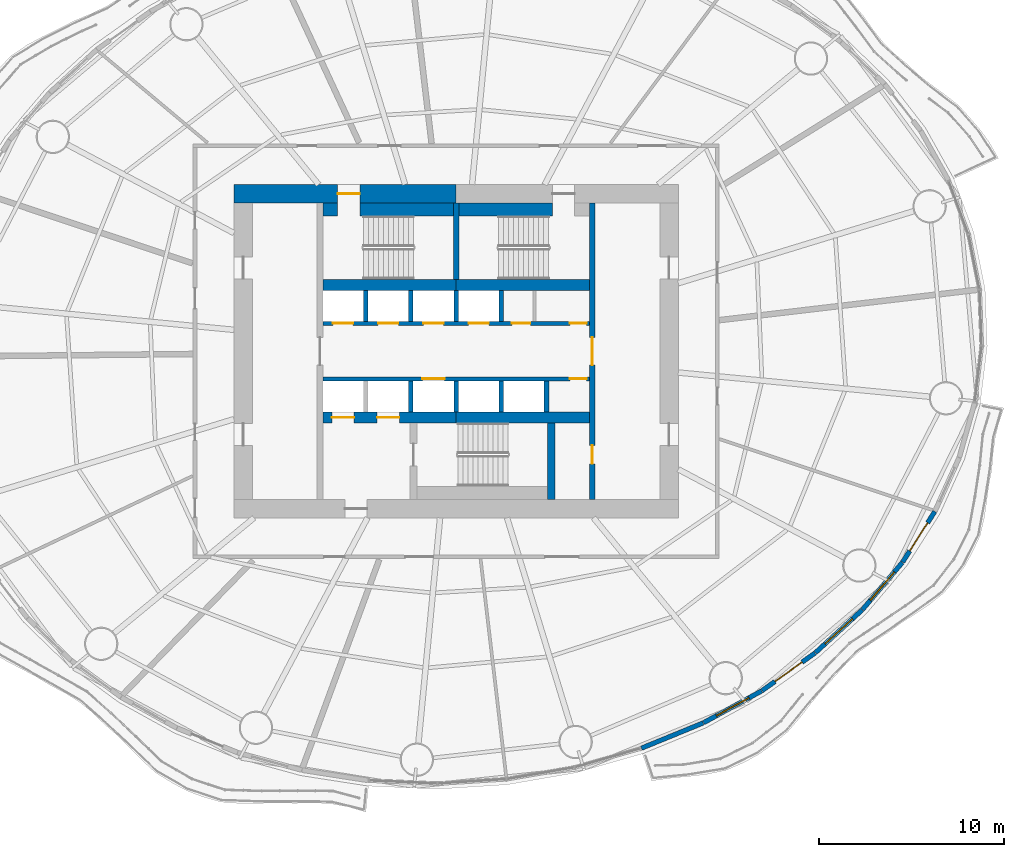
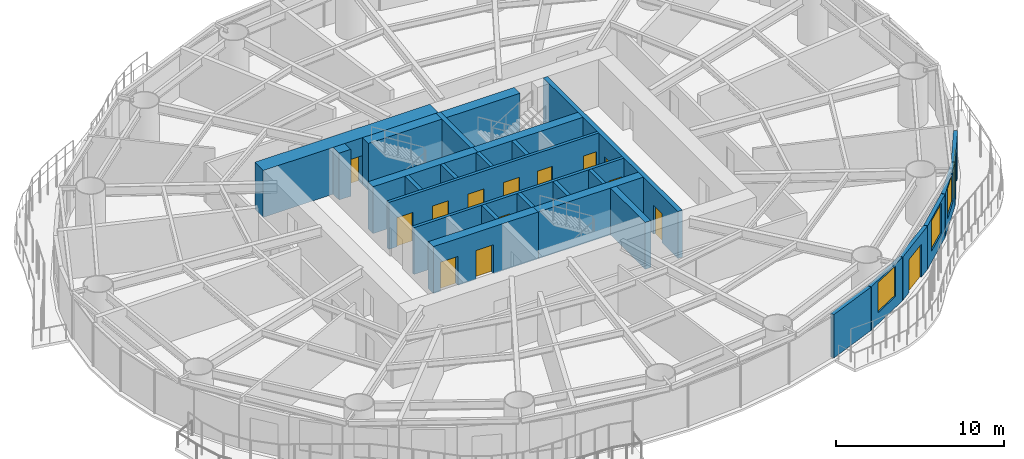
# One storey, part 9 of 16: 27 walls, 15 doors, 3 windows, 18 openings.
"""IFC4 building model written with IfcOpenShell, lengths in metres."""

from ifc_helpers import new_model, si_unit, direction, frame, frame_2d, origin, place, context, subcontext, project, spatial, rectangle, extrude, material, layer, layer_set, type_object, element, fill, save


model = new_model("IFC4")

# Units and contexts
model_context = context("Model", 3, precision=1e-05, world=origin(), true_north=direction((0.0, 1.0)))
body_context = subcontext(model_context, "Body", "Model", "MODEL_VIEW")
ifc_project = project(units=[si_unit("LENGTHUNIT", "METRE"), si_unit("AREAUNIT", "SQUARE_METRE"), si_unit("VOLUMEUNIT", "CUBIC_METRE"), si_unit("PLANEANGLEUNIT", "RADIAN"), si_unit("MASSUNIT", "GRAM", prefix="KILO")], contexts=[model_context])

# Site, building, storey
site_placement = place(None, origin())
site = spatial("IfcSite", under=ifc_project, at=site_placement, CompositionType="ELEMENT")
building_placement = place(site_placement, origin())
building = spatial("IfcBuilding", under=site, at=building_placement, Name="Vermilion Reach Broadcast Tower", CompositionType="ELEMENT")
storey_placement = place(building_placement, frame((0.0, 0.0, 61.89990234375)))
storey = spatial("IfcBuildingStorey", under=building, at=storey_placement, Name="L12", CompositionType="ELEMENT", Elevation=61.89990234375)

# Wall, openings, doors
ifc_material_1 = material(Name="Concrete C70", Category="concrete")
ifc_layer_1 = layer(ifc_material_1, 0.300048828125)
ifc_layer_set_1 = layer_set([ifc_layer_1], Name="Core inner wall 300 mm Concrete C70")
wall_type_1 = type_object("IfcWallType", Name="Core inner wall 300 mm Concrete C70", PredefinedType="SHEAR", material=ifc_layer_set_1)
wall_1_placement = place(storey_placement, frame((1.35009765625, -8.0, 0.0), z_axis=(0.0, 0.0, 1.0), x_axis=(0.0, 1.0, 0.0)))
wall_1 = element("IfcWall", 1, at=wall_1_placement, inside=storey, type_object=wall_type_1, Name="L12 core wall ewE", PredefinedType="SHEAR", context=body_context, shape_type="SweptSolid", body=[
    extrude(rectangle(XDim=16.0, YDim=0.300048828125, at=frame_2d((8.0, 0.0))), origin(), (0.0, 0.0, 1.0), 3.400146484375),
])
opening_1_placement = place(wall_1_placement, frame((1.909912109375, 0.0, 0.0)))
opening_1 = element("IfcOpeningElement", 2, at=opening_1_placement, cuts=wall_1, Name="Opening D05", PredefinedType="OPENING", context=body_context, shape_type="SweptSolid", body=[
    extrude(rectangle(XDim=1.0, YDim=2.10009765625, at=frame_2d((0.5, 1.050048828125))), frame((0.0, 0.159912109375, 0.0), z_axis=(0.0, -1.0, 0.0), x_axis=(1.0, 0.0, 0.0)), (0.0, 0.0, 1.0), 0.320068359375),
])
opening_2_placement = place(wall_1_placement, frame((7.25, 0.0, 0.0)))
opening_2 = element("IfcOpeningElement", 3, at=opening_2_placement, cuts=wall_1, Name="Opening D04", PredefinedType="OPENING", context=body_context, shape_type="SweptSolid", body=[
    extrude(rectangle(XDim=1.5, YDim=2.10009765625, at=frame_2d((0.75, 1.050048828125))), frame((0.0, 0.159912109375, 0.0), z_axis=(0.0, -1.0, 0.0), x_axis=(1.0, 0.0, 0.0)), (0.0, 0.0, 1.0), 0.320068359375),
])
ifc_material_2 = material(Name="Painted steel fire door", Category="steel")
door_type_1 = type_object("IfcDoorType", Name="Lift lobby door 1500 x 2100", OperationType="DOUBLE_DOOR_SINGLE_SWING", PredefinedType="NOTDEFINED", material=ifc_material_2)
door_1_placement = place(opening_2_placement, origin())
door_1 = element("IfcDoor", 4, at=door_1_placement, inside=storey, type_object=door_type_1, Name="L12 band door BE", OperationType="DOUBLE_DOOR_SINGLE_SWING", OverallHeight=2.10009765625, OverallWidth=1.5, PredefinedType="NOTDEFINED", context=body_context, shape_type="SweptSolid", body=[
    extrude(rectangle(XDim=1.5, YDim=2.10009765625, at=frame_2d((0.75, 1.050048828125))), frame((0.0, 0.02490234375, 0.0), z_axis=(0.0, -1.0, 0.0), x_axis=(1.0, 0.0, 0.0)), (0.0, 0.0, 1.0), 0.050048828125),
])
fill(opening_2, door_1)
ifc_material_3 = material(Name="Timber door", Category="wood")
door_type_2 = type_object("IfcDoorType", Name="Room door 1000 x 2100", OperationType="NOTDEFINED", PredefinedType="NOTDEFINED", material=ifc_material_3)
door_2_placement = place(opening_1_placement, origin())
door_2 = element("IfcDoor", 5, at=door_2_placement, inside=storey, type_object=door_type_2, Name="L12 door SER", OperationType="SINGLE_SWING_LEFT", OverallHeight=2.10009765625, OverallWidth=1.0, PredefinedType="NOTDEFINED", context=body_context, shape_type="SweptSolid", body=[
    extrude(rectangle(XDim=1.0, YDim=2.10009765625, at=frame_2d((0.5, 1.050048828125))), frame((0.0, 0.02490234375, 0.0), z_axis=(0.0, -1.0, 0.0), x_axis=(1.0, 0.0, 0.0)), (0.0, 0.0, 1.0), 0.050048828125),
])
fill(opening_1, door_2)

# Walls
wall_2_placement = place(storey_placement, frame((-6.0, 3.8798828125, 0.0), z_axis=(0.0, 0.0, 1.0), x_axis=(0.0, 1.0, 0.0)))
element("IfcWall", 6, at=wall_2_placement, inside=storey, type_object=wall_type_1, Name="L12 core wall wc", PredefinedType="SHEAR", context=body_context, shape_type="SweptSolid", body=[
    extrude(rectangle(XDim=4.1201171875, YDim=0.300048828125, at=frame_2d((2.06005859375, 0.0))), origin(), (0.0, 0.0, 1.0), 3.400146484375),
])
ifc_material_4 = material(Name="Concrete C70", Category="concrete")
ifc_layer_2 = layer(ifc_material_4, 0.39990234375)
ifc_layer_set_2 = layer_set([ifc_layer_2], Name="Core inner wall 400 mm Concrete C70")
wall_type_2 = type_object("IfcWallType", Name="Core inner wall 400 mm Concrete C70", PredefinedType="SHEAR", material=ifc_layer_set_2)
wall_3_placement = place(storey_placement, frame((-0.85009765625, -3.8798828125, 0.0), z_axis=(0.0, 0.0, 1.0), x_axis=(0.0, -1.0, 0.0)))
element("IfcWall", 7, at=wall_3_placement, inside=storey, type_object=wall_type_2, Name="L12 core wall wb", PredefinedType="SHEAR", context=body_context, shape_type="SweptSolid", body=[
    extrude(rectangle(XDim=4.1201171875, YDim=0.39990234375, at=frame_2d((2.06005859375, 0.0))), origin(), (0.0, 0.0, 1.0), 3.400146484375),
])
ifc_material_5 = material(Name="Concrete C70", Category="concrete")
ifc_layer_3 = layer(ifc_material_5, 0.60009765625)
ifc_layer_set_3 = layer_set([ifc_layer_3], Name="Core inner wall 600 mm Concrete C70")
wall_type_3 = type_object("IfcWallType", Name="Core inner wall 600 mm Concrete C70", PredefinedType="SHEAR", material=ifc_layer_set_3)
for number, where, z_axis, x_axis, name in (
    (8, (-13.199951171875, 3.580078125, 0.0), (0.0, 0.0, 1.0), (1.0, 0.0, 0.0), "L12 core wall winW"),
    (9, (-6.0, 3.580078125, 0.0), (0.0, 0.0, 1.0), (1.0, 0.0, 0.0), "L12 core wall winE"),
):
    element("IfcWall", number, at=place(storey_placement, frame(where, z_axis=z_axis, x_axis=x_axis)), inside=storey, type_object=wall_type_3, Name=name, PredefinedType="SHEAR", context=body_context, shape_type="SweptSolid", body=[
        extrude(rectangle(XDim=7.199951171875, YDim=0.60009765625, at=frame_2d((3.60009765625, 0.0))), origin(), (0.0, 0.0, 1.0), 3.400146484375),
    ])

# Wall, openings, doors
wall_4_placement = place(storey_placement, frame((-13.199951171875, -3.580078125, 0.0), z_axis=(0.0, 0.0, 1.0), x_axis=(1.0, 0.0, 0.0)))
wall_4 = element("IfcWall", 10, at=wall_4_placement, inside=storey, type_object=wall_type_3, Name="L12 core wall wisW", PredefinedType="SHEAR", context=body_context, shape_type="SweptSolid", body=[
    extrude(rectangle(XDim=7.199951171875, YDim=0.60009765625, at=frame_2d((3.60009765625, 0.0))), origin(), (0.0, 0.0, 1.0), 3.400146484375),
])
opening_3_placement = place(wall_4_placement, frame((0.495849609375, 0.0, 0.0)))
opening_3 = element("IfcOpeningElement", 11, at=opening_3_placement, cuts=wall_4, Name="Opening LD1", PredefinedType="OPENING", context=body_context, shape_type="SweptSolid", body=[
    extrude(rectangle(XDim=1.199951171875, YDim=2.10009765625, at=frame_2d((0.60009765625, 1.050048828125))), frame((0.0, 0.31005859375, 0.0), z_axis=(0.0, -1.0, 0.0), x_axis=(1.0, 0.0, 0.0)), (0.0, 0.0, 1.0), 0.6201171875),
])
opening_4_placement = place(wall_4_placement, frame((2.9375, 0.0, 0.0)))
opening_4 = element("IfcOpeningElement", 12, at=opening_4_placement, cuts=wall_4, Name="Opening LD1", PredefinedType="OPENING", context=body_context, shape_type="SweptSolid", body=[
    extrude(rectangle(XDim=1.199951171875, YDim=2.10009765625, at=frame_2d((0.60009765625, 1.050048828125))), frame((0.0, 0.31005859375, 0.0), z_axis=(0.0, -1.0, 0.0), x_axis=(1.0, 0.0, 0.0)), (0.0, 0.0, 1.0), 0.6201171875),
])
ifc_material_6 = material(Name="Stainless steel", Category="steel")
door_type_3 = type_object("IfcDoorType", Name="Landing door 1200 x 2100", OperationType="DOUBLE_DOOR_SLIDING", PredefinedType="NOTDEFINED", material=ifc_material_6)
door_3_placement = place(opening_3_placement, origin())
door_3 = element("IfcDoor", 13, at=door_3_placement, inside=storey, type_object=door_type_3, Name="L12 landing door FF1", OperationType="DOUBLE_DOOR_SLIDING", OverallHeight=2.10009765625, OverallWidth=1.199951171875, PredefinedType="NOTDEFINED", context=body_context, shape_type="SweptSolid", body=[
    extrude(rectangle(XDim=1.199951171875, YDim=2.10009765625, at=frame_2d((0.60009765625, 1.050048828125))), frame((0.0, 0.02490234375, 0.0), z_axis=(0.0, -1.0, 0.0), x_axis=(1.0, 0.0, 0.0)), (0.0, 0.0, 1.0), 0.050048828125),
])
fill(opening_3, door_3)
door_4_placement = place(opening_4_placement, origin())
door_4 = element("IfcDoor", 14, at=door_4_placement, inside=storey, type_object=door_type_3, Name="L12 landing door FF2", OperationType="DOUBLE_DOOR_SLIDING", OverallHeight=2.10009765625, OverallWidth=1.199951171875, PredefinedType="NOTDEFINED", context=body_context, shape_type="SweptSolid", body=[
    extrude(rectangle(XDim=1.199951171875, YDim=2.10009765625, at=frame_2d((0.60009765625, 1.050048828125))), frame((0.0, 0.02490234375, 0.0), z_axis=(0.0, -1.0, 0.0), x_axis=(1.0, 0.0, 0.0)), (0.0, 0.0, 1.0), 0.050048828125),
])
fill(opening_4, door_4)

# Wall
wall_5_placement = place(storey_placement, frame((-6.0, -3.580078125, 0.0), z_axis=(0.0, 0.0, 1.0), x_axis=(1.0, 0.0, 0.0)))
element("IfcWall", 15, at=wall_5_placement, inside=storey, type_object=wall_type_3, Name="L12 core wall wisE", PredefinedType="SHEAR", context=body_context, shape_type="SweptSolid", body=[
    extrude(rectangle(XDim=7.199951171875, YDim=0.60009765625, at=frame_2d((3.60009765625, 0.0))), origin(), (0.0, 0.0, 1.0), 3.400146484375),
])

# Wall, opening, door
ifc_material_7 = material(Name="Concrete C70", Category="concrete")
ifc_layer_4 = layer(ifc_material_7, 1.0)
ifc_layer_set_4 = layer_set([ifc_layer_4], Name="Core outer wall 1000 mm Concrete C70")
wall_type_4 = type_object("IfcWallType", Name="Core outer wall 1000 mm Concrete C70", PredefinedType="SHEAR", material=ifc_layer_set_4)
wall_6_placement = place(storey_placement, frame((-6.0, 8.5, 0.0), z_axis=(0.0, 0.0, 1.0), x_axis=(-1.0, 0.0, 0.0)))
wall_6 = element("IfcWall", 16, at=wall_6_placement, inside=storey, type_object=wall_type_4, Name="L12 core wall onW", PredefinedType="SHEAR", context=body_context, shape_type="SweptSolid", body=[
    extrude(rectangle(XDim=12.0, YDim=1.0, at=frame_2d((6.0, 0.0))), origin(), (0.0, 0.0, 1.0), 3.400146484375),
])
opening_5_placement = place(wall_6_placement, frame((5.199951171875, 0.0, 0.0)))
opening_5 = element("IfcOpeningElement", 17, at=opening_5_placement, cuts=wall_6, Name="Opening D01", PredefinedType="OPENING", context=body_context, shape_type="SweptSolid", body=[
    extrude(rectangle(XDim=1.199951171875, YDim=2.10009765625, at=frame_2d((0.60009765625, 1.050048828125))), frame((0.0, 0.510009765625, 0.0), z_axis=(0.0, -1.0, 0.0), x_axis=(1.0, 0.0, 0.0)), (0.0, 0.0, 1.0), 1.02001953125),
])
ifc_material_8 = material(Name="Painted steel fire door", Category="steel")
door_type_4 = type_object("IfcDoorType", Name="Stair door 1200 x 2100", OperationType="DOUBLE_DOOR_SINGLE_SWING", PredefinedType="NOTDEFINED", material=ifc_material_8)
door_5_placement = place(opening_5_placement, origin())
door_5 = element("IfcDoor", 18, at=door_5_placement, inside=storey, type_object=door_type_4, Name="L12 stair door ST1", OperationType="DOUBLE_DOOR_SINGLE_SWING", OverallHeight=2.10009765625, OverallWidth=1.199951171875, PredefinedType="NOTDEFINED", context=body_context, shape_type="SweptSolid", body=[
    extrude(rectangle(XDim=1.199951171875, YDim=2.10009765625, at=frame_2d((0.60009765625, 1.050048828125))), frame((0.0, 0.02490234375, 0.0), z_axis=(0.0, -1.0, 0.0), x_axis=(1.0, 0.0, 0.0)), (0.0, 0.0, 1.0), 0.050048828125),
])
fill(opening_5, door_5)

# Wall, openings, doors
ifc_material_9 = material(Name="Concrete C50", Category="concrete")
ifc_layer_5 = layer(ifc_material_9, 0.199951171875)
ifc_layer_set_5 = layer_set([ifc_layer_5], Name="Core shaft wall 200 mm Concrete C50")
wall_type_5 = type_object("IfcWallType", Name="Core shaft wall 200 mm Concrete C50", PredefinedType="SHEAR", material=ifc_layer_set_5)
wall_7_placement = place(storey_placement, frame((-13.199951171875, 1.5, 0.0), z_axis=(0.0, 0.0, 1.0), x_axis=(1.0, 0.0, 0.0)))
wall_7 = element("IfcWall", 19, at=wall_7_placement, inside=storey, type_object=wall_type_5, Name="L12 core wall fn", PredefinedType="SHEAR", context=body_context, shape_type="SweptSolid", body=[
    extrude(rectangle(XDim=14.39990234375, YDim=0.199951171875, at=frame_2d((7.199951171875, 0.0))), origin(), (0.0, 0.0, 1.0), 3.400146484375),
])
opening_6_placement = place(wall_7_placement, frame((0.5458984375, 0.0, 0.0)))
opening_6 = element("IfcOpeningElement", 20, at=opening_6_placement, cuts=wall_7, Name="Opening LD2", PredefinedType="OPENING", context=body_context, shape_type="SweptSolid", body=[
    extrude(rectangle(XDim=1.10009765625, YDim=2.10009765625, at=frame_2d((0.550048828125, 1.050048828125))), frame((0.0, 0.10986328125, 0.0), z_axis=(0.0, -1.0, 0.0), x_axis=(1.0, 0.0, 0.0)), (0.0, 0.0, 1.0), 0.219970703125),
])
opening_7_placement = place(wall_7_placement, frame((2.987548828125, 0.0, 0.0)))
opening_7 = element("IfcOpeningElement", 21, at=opening_7_placement, cuts=wall_7, Name="Opening LD2", PredefinedType="OPENING", context=body_context, shape_type="SweptSolid", body=[
    extrude(rectangle(XDim=1.10009765625, YDim=2.10009765625, at=frame_2d((0.550048828125, 1.050048828125))), frame((0.0, 0.10986328125, 0.0), z_axis=(0.0, -1.0, 0.0), x_axis=(1.0, 0.0, 0.0)), (0.0, 0.0, 1.0), 0.219970703125),
])
opening_8_placement = place(wall_7_placement, frame((5.42919921875, 0.0, 0.0)))
opening_8 = element("IfcOpeningElement", 22, at=opening_8_placement, cuts=wall_7, Name="Opening LD2", PredefinedType="OPENING", context=body_context, shape_type="SweptSolid", body=[
    extrude(rectangle(XDim=1.10009765625, YDim=2.10009765625, at=frame_2d((0.550048828125, 1.050048828125))), frame((0.0, 0.10986328125, 0.0), z_axis=(0.0, -1.0, 0.0), x_axis=(1.0, 0.0, 0.0)), (0.0, 0.0, 1.0), 0.219970703125),
])
opening_9_placement = place(wall_7_placement, frame((7.870849609375, 0.0, 0.0)))
opening_9 = element("IfcOpeningElement", 23, at=opening_9_placement, cuts=wall_7, Name="Opening LD2", PredefinedType="OPENING", context=body_context, shape_type="SweptSolid", body=[
    extrude(rectangle(XDim=1.10009765625, YDim=2.10009765625, at=frame_2d((0.550048828125, 1.050048828125))), frame((0.0, 0.10986328125, 0.0), z_axis=(0.0, -1.0, 0.0), x_axis=(1.0, 0.0, 0.0)), (0.0, 0.0, 1.0), 0.219970703125),
])
opening_10_placement = place(wall_7_placement, frame((10.209716796875, 0.0, 0.0)))
opening_10 = element("IfcOpeningElement", 24, at=opening_10_placement, cuts=wall_7, Name="Opening D07", PredefinedType="OPENING", context=body_context, shape_type="SweptSolid", body=[
    extrude(rectangle(XDim=1.0, YDim=2.10009765625, at=frame_2d((0.5, 1.050048828125))), frame((0.0, 0.10986328125, 0.0), z_axis=(0.0, -1.0, 0.0), x_axis=(1.0, 0.0, 0.0)), (0.0, 0.0, 1.0), 0.219970703125),
])
opening_11_placement = place(wall_7_placement, frame((13.35009765625, 0.0, 0.0)))
opening_11 = element("IfcOpeningElement", 25, at=opening_11_placement, cuts=wall_7, Name="Opening D06", PredefinedType="OPENING", context=body_context, shape_type="SweptSolid", body=[
    extrude(rectangle(XDim=0.89990234375, YDim=2.10009765625, at=frame_2d((0.449951171875, 1.050048828125))), frame((0.0, 0.10986328125, 0.0), z_axis=(0.0, -1.0, 0.0), x_axis=(1.0, 0.0, 0.0)), (0.0, 0.0, 1.0), 0.219970703125),
])
ifc_material_10 = material(Name="Timber door", Category="wood")
door_type_5 = type_object("IfcDoorType", Name="Accessible WC door 1000 x 2100", OperationType="NOTDEFINED", PredefinedType="NOTDEFINED", material=ifc_material_10)
door_6_placement = place(opening_10_placement, origin())
door_6 = element("IfcDoor", 26, at=door_6_placement, inside=storey, type_object=door_type_5, Name="L12 door Accessible WC", OperationType="SINGLE_SWING_RIGHT", OverallHeight=2.10009765625, OverallWidth=1.0, PredefinedType="NOTDEFINED", context=body_context, shape_type="SweptSolid", body=[
    extrude(rectangle(XDim=1.0, YDim=2.10009765625, at=frame_2d((0.5, 1.050048828125))), frame((0.0, 0.02490234375, 0.0), z_axis=(0.0, -1.0, 0.0), x_axis=(1.0, 0.0, 0.0)), (0.0, 0.0, 1.0), 0.050048828125),
])
fill(opening_10, door_6)
ifc_material_11 = material(Name="Stainless steel", Category="steel")
door_type_6 = type_object("IfcDoorType", Name="Landing door 1100 x 2100", OperationType="DOUBLE_DOOR_SLIDING", PredefinedType="NOTDEFINED", material=ifc_material_11)
door_7_placement = place(opening_6_placement, origin())
door_7 = element("IfcDoor", 27, at=door_7_placement, inside=storey, type_object=door_type_6, Name="L12 landing door LR1", OperationType="DOUBLE_DOOR_SLIDING", OverallHeight=2.10009765625, OverallWidth=1.10009765625, PredefinedType="NOTDEFINED", context=body_context, shape_type="SweptSolid", body=[
    extrude(rectangle(XDim=1.10009765625, YDim=2.10009765625, at=frame_2d((0.550048828125, 1.050048828125))), frame((0.0, 0.02490234375, 0.0), z_axis=(0.0, -1.0, 0.0), x_axis=(1.0, 0.0, 0.0)), (0.0, 0.0, 1.0), 0.050048828125),
])
fill(opening_6, door_7)
door_8_placement = place(opening_7_placement, origin())
door_8 = element("IfcDoor", 28, at=door_8_placement, inside=storey, type_object=door_type_6, Name="L12 landing door LR2", OperationType="DOUBLE_DOOR_SLIDING", OverallHeight=2.10009765625, OverallWidth=1.10009765625, PredefinedType="NOTDEFINED", context=body_context, shape_type="SweptSolid", body=[
    extrude(rectangle(XDim=1.10009765625, YDim=2.10009765625, at=frame_2d((0.550048828125, 1.050048828125))), frame((0.0, 0.02490234375, 0.0), z_axis=(0.0, -1.0, 0.0), x_axis=(1.0, 0.0, 0.0)), (0.0, 0.0, 1.0), 0.050048828125),
])
fill(opening_7, door_8)
door_9_placement = place(opening_8_placement, origin())
door_9 = element("IfcDoor", 29, at=door_9_placement, inside=storey, type_object=door_type_6, Name="L12 landing door LR3", OperationType="DOUBLE_DOOR_SLIDING", OverallHeight=2.10009765625, OverallWidth=1.10009765625, PredefinedType="NOTDEFINED", context=body_context, shape_type="SweptSolid", body=[
    extrude(rectangle(XDim=1.10009765625, YDim=2.10009765625, at=frame_2d((0.550048828125, 1.050048828125))), frame((0.0, 0.02490234375, 0.0), z_axis=(0.0, -1.0, 0.0), x_axis=(1.0, 0.0, 0.0)), (0.0, 0.0, 1.0), 0.050048828125),
])
fill(opening_8, door_9)
door_10_placement = place(opening_9_placement, origin())
door_10 = element("IfcDoor", 30, at=door_10_placement, inside=storey, type_object=door_type_6, Name="L12 landing door LR4", OperationType="DOUBLE_DOOR_SLIDING", OverallHeight=2.10009765625, OverallWidth=1.10009765625, PredefinedType="NOTDEFINED", context=body_context, shape_type="SweptSolid", body=[
    extrude(rectangle(XDim=1.10009765625, YDim=2.10009765625, at=frame_2d((0.550048828125, 1.050048828125))), frame((0.0, 0.02490234375, 0.0), z_axis=(0.0, -1.0, 0.0), x_axis=(1.0, 0.0, 0.0)), (0.0, 0.0, 1.0), 0.050048828125),
])
fill(opening_9, door_10)
ifc_material_12 = material(Name="Timber door", Category="wood")
door_type_7 = type_object("IfcDoorType", Name="WC door 900 x 2100", OperationType="NOTDEFINED", PredefinedType="NOTDEFINED", material=ifc_material_12)
door_11_placement = place(opening_11_placement, origin())
door_11 = element("IfcDoor", 31, at=door_11_placement, inside=storey, type_object=door_type_7, Name="L12 door Female WC", OperationType="SINGLE_SWING_RIGHT", OverallHeight=2.10009765625, OverallWidth=0.89990234375, PredefinedType="NOTDEFINED", context=body_context, shape_type="SweptSolid", body=[
    extrude(rectangle(XDim=0.89990234375, YDim=2.10009765625, at=frame_2d((0.449951171875, 1.050048828125))), frame((0.0, 0.02490234375, 0.0), z_axis=(0.0, -1.0, 0.0), x_axis=(1.0, 0.0, 0.0)), (0.0, 0.0, 1.0), 0.050048828125),
])
fill(opening_11, door_11)

wall_8_placement = place(storey_placement, frame((1.199951171875, -1.5, 0.0), z_axis=(0.0, 0.0, 1.0), x_axis=(-1.0, 0.0, 0.0)))
wall_8 = element("IfcWall", 32, at=wall_8_placement, inside=storey, type_object=wall_type_5, Name="L12 core wall fs", PredefinedType="SHEAR", context=body_context, shape_type="SweptSolid", body=[
    extrude(rectangle(XDim=14.39990234375, YDim=0.199951171875, at=frame_2d((7.199951171875, 0.0))), origin(), (0.0, 0.0, 1.0), 3.400146484375),
])
opening_12_placement = place(wall_8_placement, frame((7.82080078125, 0.0, 0.0)))
opening_12 = element("IfcOpeningElement", 33, at=opening_12_placement, cuts=wall_8, Name="Opening LD1", PredefinedType="OPENING", context=body_context, shape_type="SweptSolid", body=[
    extrude(rectangle(XDim=1.199951171875, YDim=2.10009765625, at=frame_2d((0.60009765625, 1.050048828125))), frame((0.0, 0.10986328125, 0.0), z_axis=(0.0, -1.0, 0.0), x_axis=(1.0, 0.0, 0.0)), (0.0, 0.0, 1.0), 0.219970703125),
])
opening_13_placement = place(wall_8_placement, frame((0.14990234375, 0.0, 0.0)))
opening_13 = element("IfcOpeningElement", 34, at=opening_13_placement, cuts=wall_8, Name="Opening D06", PredefinedType="OPENING", context=body_context, shape_type="SweptSolid", body=[
    extrude(rectangle(XDim=0.89990234375, YDim=2.10009765625, at=frame_2d((0.449951171875, 1.050048828125))), frame((0.0, 0.10986328125, 0.0), z_axis=(0.0, -1.0, 0.0), x_axis=(1.0, 0.0, 0.0)), (0.0, 0.0, 1.0), 0.219970703125),
])
door_12_placement = place(opening_12_placement, origin())
door_12 = element("IfcDoor", 35, at=door_12_placement, inside=storey, type_object=door_type_3, Name="L12 landing door SV1", OperationType="DOUBLE_DOOR_SLIDING", OverallHeight=2.10009765625, OverallWidth=1.199951171875, PredefinedType="NOTDEFINED", context=body_context, shape_type="SweptSolid", body=[
    extrude(rectangle(XDim=1.199951171875, YDim=2.10009765625, at=frame_2d((0.60009765625, 1.050048828125))), frame((0.0, 0.02490234375, 0.0), z_axis=(0.0, -1.0, 0.0), x_axis=(1.0, 0.0, 0.0)), (0.0, 0.0, 1.0), 0.050048828125),
])
fill(opening_12, door_12)
door_13_placement = place(opening_13_placement, origin())
door_13 = element("IfcDoor", 36, at=door_13_placement, inside=storey, type_object=door_type_7, Name="L12 door Male WC", OperationType="SINGLE_SWING_LEFT", OverallHeight=2.10009765625, OverallWidth=0.89990234375, PredefinedType="NOTDEFINED", context=body_context, shape_type="SweptSolid", body=[
    extrude(rectangle(XDim=0.89990234375, YDim=2.10009765625, at=frame_2d((0.449951171875, 1.050048828125))), frame((0.0, 0.02490234375, 0.0), z_axis=(0.0, -1.0, 0.0), x_axis=(1.0, 0.0, 0.0)), (0.0, 0.0, 1.0), 0.050048828125),
])
fill(opening_13, door_13)

# Walls
ifc_material_13 = material(Name="Concrete C50", Category="concrete")
ifc_layer_6 = layer(ifc_material_13, 0.25)
ifc_layer_set_6 = layer_set([ifc_layer_6], Name="Core shaft wall 250 mm Concrete C50")
wall_type_6 = type_object("IfcWallType", Name="Core shaft wall 250 mm Concrete C50", PredefinedType="SHEAR", material=ifc_layer_set_6)
for number, where, z_axis, x_axis, name in (
    (37, (-10.88330078125, 1.60009765625, 0.0), (0.0, 0.0, 1.0), (0.0, 1.0, 0.0), "L12 core wall psN0"),
    (38, (-8.441650390625, 1.60009765625, 0.0), (0.0, 0.0, 1.0), (0.0, 1.0, 0.0), "L12 core wall psN1"),
    (39, (-6.0, 1.60009765625, 0.0), (0.0, 0.0, 1.0), (0.0, 1.0, 0.0), "L12 core wall psN2"),
    (40, (-3.558349609375, 1.60009765625, 0.0), (0.0, 0.0, 1.0), (0.0, 1.0, 0.0), "L12 core wall psN3"),
    (41, (-8.441650390625, -1.60009765625, 0.0), (0.0, 0.0, 1.0), (0.0, -1.0, 0.0), "L12 core wall psS1"),
    (42, (-6.0, -1.60009765625, 0.0), (0.0, 0.0, 1.0), (0.0, -1.0, 0.0), "L12 core wall psS2"),
    (43, (-3.558349609375, -1.60009765625, 0.0), (0.0, 0.0, 1.0), (0.0, -1.0, 0.0), "L12 core wall psS3"),
    (44, (-1.11669921875, -1.60009765625, 0.0), (0.0, 0.0, 1.0), (0.0, -1.0, 0.0), "L12 core wall psS4"),
):
    element("IfcWall", number, at=place(storey_placement, frame(where, z_axis=z_axis, x_axis=x_axis)), inside=storey, type_object=wall_type_6, Name=name, PredefinedType="SHEAR", context=body_context, shape_type="SweptSolid", body=[
        extrude(rectangle(XDim=1.679931640625, YDim=0.25, at=frame_2d((0.83984375, 0.0))), origin(), (0.0, 0.0, 1.0), 3.400146484375),
    ])
ifc_material_14 = material(Name="Concrete C70", Category="concrete")
ifc_layer_7 = layer(ifc_material_14, 0.699951171875)
ifc_layer_set_7 = layer_set([ifc_layer_7], Name="Core stair wall 700 mm Concrete C70")
wall_type_7 = type_object("IfcWallType", Name="Core stair wall 700 mm Concrete C70", PredefinedType="SHEAR", material=ifc_layer_set_7)
wall_9_placement = place(storey_placement, frame((-13.199951171875, 7.64990234375, 0.0), z_axis=(0.0, 0.0, 1.0), x_axis=(1.0, 0.0, 0.0)))
element("IfcWall", 45, at=wall_9_placement, inside=storey, type_object=wall_type_7, Name="L12 core wall l1a", PredefinedType="SHEAR", context=body_context, shape_type="SweptSolid", body=[
    extrude(rectangle(XDim=0.800048828125, YDim=0.699951171875, at=frame_2d((0.39990234375, 0.0))), origin(), (0.0, 0.0, 1.0), 3.400146484375),
])
for number, where, z_axis, x_axis, name in (
    (46, (-11.199951171875, 7.64990234375, 0.0), (0.0, 0.0, 1.0), (1.0, 0.0, 0.0), "L12 core wall l1b"),
    (47, (-5.85009765625, 7.64990234375, 0.0), (0.0, 0.0, 1.0), (1.0, 0.0, 0.0), "L12 core wall l2a"),
):
    element("IfcWall", number, at=place(storey_placement, frame(where, z_axis=z_axis, x_axis=x_axis)), inside=storey, type_object=wall_type_7, Name=name, PredefinedType="SHEAR", context=body_context, shape_type="SweptSolid", body=[
        extrude(rectangle(XDim=5.050048828125, YDim=0.699951171875, at=frame_2d((2.52490234375, 0.0))), origin(), (0.0, 0.0, 1.0), 3.400146484375),
    ])
ifc_material_15 = material(Name="Terracotta rainscreen cladding", Category="masonry")
ifc_layer_8 = layer(ifc_material_15, 0.25)
ifc_layer_set_8 = layer_set([ifc_layer_8], Name="Terracotta rainscreen wall 250")
wall_type_8 = type_object("IfcWallType", Name="Terracotta rainscreen wall 250", PredefinedType="SOLIDWALL", material=ifc_layer_set_8)
wall_10_placement = place(storey_placement, frame((4.01318359375, -21.44140625, 0.0), z_axis=(0.0, 0.0, 1.0), x_axis=(0.925429153504, 0.378920680149, 0.0)))
element("IfcWall", 48, at=wall_10_placement, inside=storey, type_object=wall_type_8, Name="External wall L12 38", PredefinedType="SOLIDWALL", context=body_context, shape_type="SweptSolid", body=[
    extrude(rectangle(XDim=3.599853515625, YDim=0.25, at=frame_2d((1.7998046875, 0.0))), origin(), (0.0, 0.0, 1.0), 3.150146484375),
])

# Wall, opening, window
wall_11_placement = place(storey_placement, frame((7.364501953125, -20.06787109375, 0.0), z_axis=(0.0, 0.0, 1.0), x_axis=(0.876938377575, 0.480602831802, 0.0)))
wall_11 = element("IfcWall", 49, at=wall_11_placement, inside=storey, type_object=wall_type_8, Name="External wall L12 39", PredefinedType="SOLIDWALL", context=body_context, shape_type="SweptSolid", body=[
    extrude(rectangle(XDim=3.583740234375, YDim=0.25, at=frame_2d((1.7919921875, 0.0))), origin(), (0.0, 0.0, 1.0), 3.150146484375),
])
opening_14_placement = place(wall_11_placement, frame((0.7919921875, 0.0, 0.800048828125)))
opening_14 = element("IfcOpeningElement", 50, at=opening_14_placement, cuts=wall_11, Name="Opening W01", PredefinedType="OPENING", context=body_context, shape_type="SweptSolid", body=[
    extrude(rectangle(XDim=2.0, YDim=2.199951171875, at=frame_2d((1.0, 1.10009765625))), frame((0.0, 0.135009765625, 0.0), z_axis=(0.0, -1.0, 0.0), x_axis=(1.0, 0.0, 0.0)), (0.0, 0.0, 1.0), 0.27001953125),
])
ifc_material_16 = material(Name="Low-e laminated clear glass in aluminium frame", Category="aluminium")
window_type = type_object("IfcWindowType", Name="Punched window 2000 x 2200 sill 800", PartitioningType="SINGLE_PANEL", PredefinedType="WINDOW", material=ifc_material_16)
window_1_placement = place(opening_14_placement, origin())
window_1 = element("IfcWindow", 51, at=window_1_placement, inside=storey, type_object=window_type, Name="Window L12 39", OverallHeight=2.199951171875, OverallWidth=2.0, PartitioningType="SINGLE_PANEL", PredefinedType="WINDOW", context=body_context, shape_type="SweptSolid", body=[
    extrude(rectangle(XDim=2.0, YDim=2.199951171875, at=frame_2d((1.0, 1.10009765625))), frame((0.0, 0.030029296875, 0.0), z_axis=(0.0, -1.0, 0.0), x_axis=(1.0, 0.0, 0.0)), (0.0, 0.0, 1.0), 0.06005859375),
])
fill(opening_14, window_1)

# Wall, opening, door
wall_12_placement = place(storey_placement, frame((10.5263671875, -18.33349609375, 0.0), z_axis=(0.0, 0.0, 1.0), x_axis=(0.814907125468, 0.579591560378, 0.0)))
wall_12 = element("IfcWall", 52, at=wall_12_placement, inside=storey, type_object=wall_type_8, Name="External wall L12 40", PredefinedType="SOLIDWALL", context=body_context, shape_type="SweptSolid", body=[
    extrude(rectangle(XDim=3.5087890625, YDim=0.25, at=frame_2d((1.75439453125, 0.0))), origin(), (0.0, 0.0, 1.0), 3.150146484375),
])
opening_15_placement = place(wall_12_placement, frame((0.85400390625, 0.0, 0.0)))
opening_15 = element("IfcOpeningElement", 53, at=opening_15_placement, cuts=wall_12, Name="Opening D70", PredefinedType="OPENING", context=body_context, shape_type="SweptSolid", body=[
    extrude(rectangle(XDim=1.800048828125, YDim=2.39990234375, at=frame_2d((0.89990234375, 1.199951171875))), frame((0.0, 0.135009765625, 0.0), z_axis=(0.0, -1.0, 0.0), x_axis=(1.0, 0.0, 0.0)), (0.0, 0.0, 1.0), 0.27001953125),
])
ifc_material_17 = material(Name="Low-e laminated clear glass in aluminium frame", Category="aluminium")
door_type_8 = type_object("IfcDoorType", Name="Balcony sliding door 1800 x 2400", OperationType="DOUBLE_DOOR_SLIDING", PredefinedType="DOOR", material=ifc_material_17)
door_14_placement = place(opening_15_placement, origin())
door_14 = element("IfcDoor", 54, at=door_14_placement, inside=storey, type_object=door_type_8, Name="Balcony door L12 run 10", OperationType="DOUBLE_DOOR_SLIDING", OverallHeight=2.39990234375, OverallWidth=1.800048828125, PredefinedType="DOOR", context=body_context, shape_type="SweptSolid", body=[
    extrude(rectangle(XDim=1.800048828125, YDim=2.39990234375, at=frame_2d((0.89990234375, 1.199951171875))), frame((0.0, 0.02490234375, 0.0), z_axis=(0.0, -1.0, 0.0), x_axis=(1.0, 0.0, 0.0)), (0.0, 0.0, 1.0), 0.050048828125),
])
fill(opening_15, door_14)

# Wall, opening, window
wall_13_placement = place(storey_placement, frame((13.40380859375, -16.28515625, 0.0), z_axis=(0.0, 0.0, 1.0), x_axis=(0.738233763611, 0.67454496534, 0.0)))
wall_13 = element("IfcWall", 55, at=wall_13_placement, inside=storey, type_object=wall_type_8, Name="External wall L12 41", PredefinedType="SOLIDWALL", context=body_context, shape_type="SweptSolid", body=[
    extrude(rectangle(XDim=3.423095703125, YDim=0.25, at=frame_2d((1.71142578125, 0.0))), origin(), (0.0, 0.0, 1.0), 3.150146484375),
])
opening_16_placement = place(wall_13_placement, frame((0.711669921875, 0.0, 0.800048828125)))
opening_16 = element("IfcOpeningElement", 56, at=opening_16_placement, cuts=wall_13, Name="Opening W01", PredefinedType="OPENING", context=body_context, shape_type="SweptSolid", body=[
    extrude(rectangle(XDim=2.0, YDim=2.199951171875, at=frame_2d((1.0, 1.10009765625))), frame((0.0, 0.135009765625, 0.0), z_axis=(0.0, -1.0, 0.0), x_axis=(1.0, 0.0, 0.0)), (0.0, 0.0, 1.0), 0.27001953125),
])
window_2_placement = place(opening_16_placement, origin())
window_2 = element("IfcWindow", 57, at=window_2_placement, inside=storey, type_object=window_type, Name="Window L12 41", OverallHeight=2.199951171875, OverallWidth=2.0, PartitioningType="SINGLE_PANEL", PredefinedType="WINDOW", context=body_context, shape_type="SweptSolid", body=[
    extrude(rectangle(XDim=2.0, YDim=2.199951171875, at=frame_2d((1.0, 1.10009765625))), frame((0.0, 0.030029296875, 0.0), z_axis=(0.0, -1.0, 0.0), x_axis=(1.0, 0.0, 0.0)), (0.0, 0.0, 1.0), 0.06005859375),
])
fill(opening_16, window_2)

wall_14_placement = place(storey_placement, frame((15.947509765625, -13.958740234375, 0.0), z_axis=(0.0, 0.0, 1.0), x_axis=(0.645781290873, 0.763522445222, 0.0)))
wall_14 = element("IfcWall", 58, at=wall_14_placement, inside=storey, type_object=wall_type_8, Name="External wall L12 42", PredefinedType="SOLIDWALL", context=body_context, shape_type="SweptSolid", body=[
    extrude(rectangle(XDim=3.332275390625, YDim=0.25, at=frame_2d((1.666015625, 0.0))), origin(), (0.0, 0.0, 1.0), 3.150146484375),
])
opening_17_placement = place(wall_14_placement, frame((0.666015625, 0.0, 0.800048828125)))
opening_17 = element("IfcOpeningElement", 59, at=opening_17_placement, cuts=wall_14, Name="Opening W01", PredefinedType="OPENING", context=body_context, shape_type="SweptSolid", body=[
    extrude(rectangle(XDim=2.0, YDim=2.199951171875, at=frame_2d((1.0, 1.10009765625))), frame((0.0, 0.135009765625, 0.0), z_axis=(0.0, -1.0, 0.0), x_axis=(1.0, 0.0, 0.0)), (0.0, 0.0, 1.0), 0.27001953125),
])
window_3_placement = place(opening_17_placement, origin())
window_3 = element("IfcWindow", 60, at=window_3_placement, inside=storey, type_object=window_type, Name="Window L12 42", OverallHeight=2.199951171875, OverallWidth=2.0, PartitioningType="SINGLE_PANEL", PredefinedType="WINDOW", context=body_context, shape_type="SweptSolid", body=[
    extrude(rectangle(XDim=2.0, YDim=2.199951171875, at=frame_2d((1.0, 1.10009765625))), frame((0.0, 0.030029296875, 0.0), z_axis=(0.0, -1.0, 0.0), x_axis=(1.0, 0.0, 0.0)), (0.0, 0.0, 1.0), 0.06005859375),
])
fill(opening_17, window_3)

# Wall, opening, door
wall_15_placement = place(storey_placement, frame((18.114013671875, -11.39453125, 0.0), z_axis=(0.0, 0.0, 1.0), x_axis=(0.536899857644, 0.843645981951, 0.0)))
wall_15 = element("IfcWall", 61, at=wall_15_placement, inside=storey, type_object=wall_type_8, Name="External wall L12 43", PredefinedType="SOLIDWALL", context=body_context, shape_type="SweptSolid", body=[
    extrude(rectangle(XDim=3.24169921875, YDim=0.25, at=frame_2d((1.620849609375, 0.0))), origin(), (0.0, 0.0, 1.0), 3.150146484375),
])
opening_18_placement = place(wall_15_placement, frame((0.720947265625, 0.0, 0.0)))
opening_18 = element("IfcOpeningElement", 62, at=opening_18_placement, cuts=wall_15, Name="Opening D70", PredefinedType="OPENING", context=body_context, shape_type="SweptSolid", body=[
    extrude(rectangle(XDim=1.800048828125, YDim=2.39990234375, at=frame_2d((0.89990234375, 1.199951171875))), frame((0.0, 0.135009765625, 0.0), z_axis=(0.0, -1.0, 0.0), x_axis=(1.0, 0.0, 0.0)), (0.0, 0.0, 1.0), 0.27001953125),
])
door_15_placement = place(opening_18_placement, origin())
door_15 = element("IfcDoor", 63, at=door_15_placement, inside=storey, type_object=door_type_8, Name="Balcony door L12 run 11", OperationType="DOUBLE_DOOR_SLIDING", OverallHeight=2.39990234375, OverallWidth=1.800048828125, PredefinedType="DOOR", context=body_context, shape_type="SweptSolid", body=[
    extrude(rectangle(XDim=1.800048828125, YDim=2.39990234375, at=frame_2d((0.89990234375, 1.199951171875))), frame((0.0, 0.02490234375, 0.0), z_axis=(0.0, -1.0, 0.0), x_axis=(1.0, 0.0, 0.0)), (0.0, 0.0, 1.0), 0.050048828125),
])
fill(opening_18, door_15)

save(model, "model.ifc")
